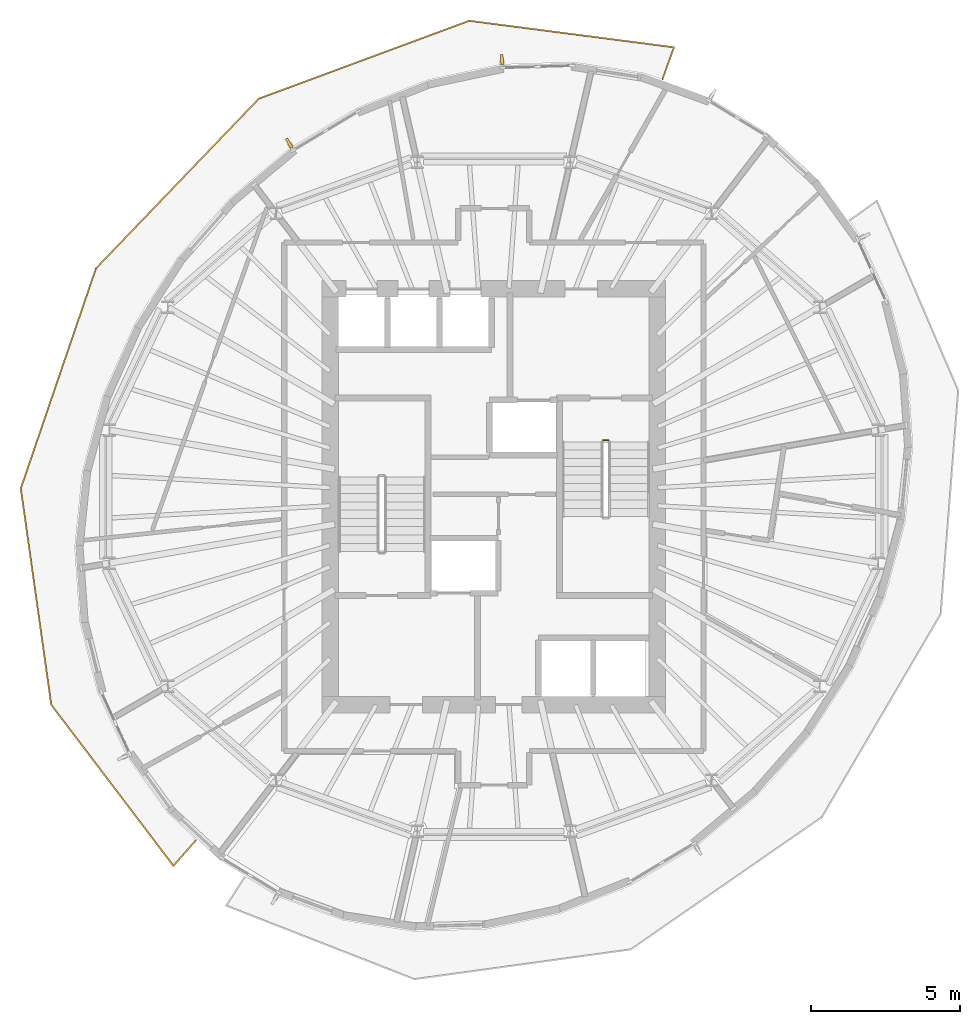
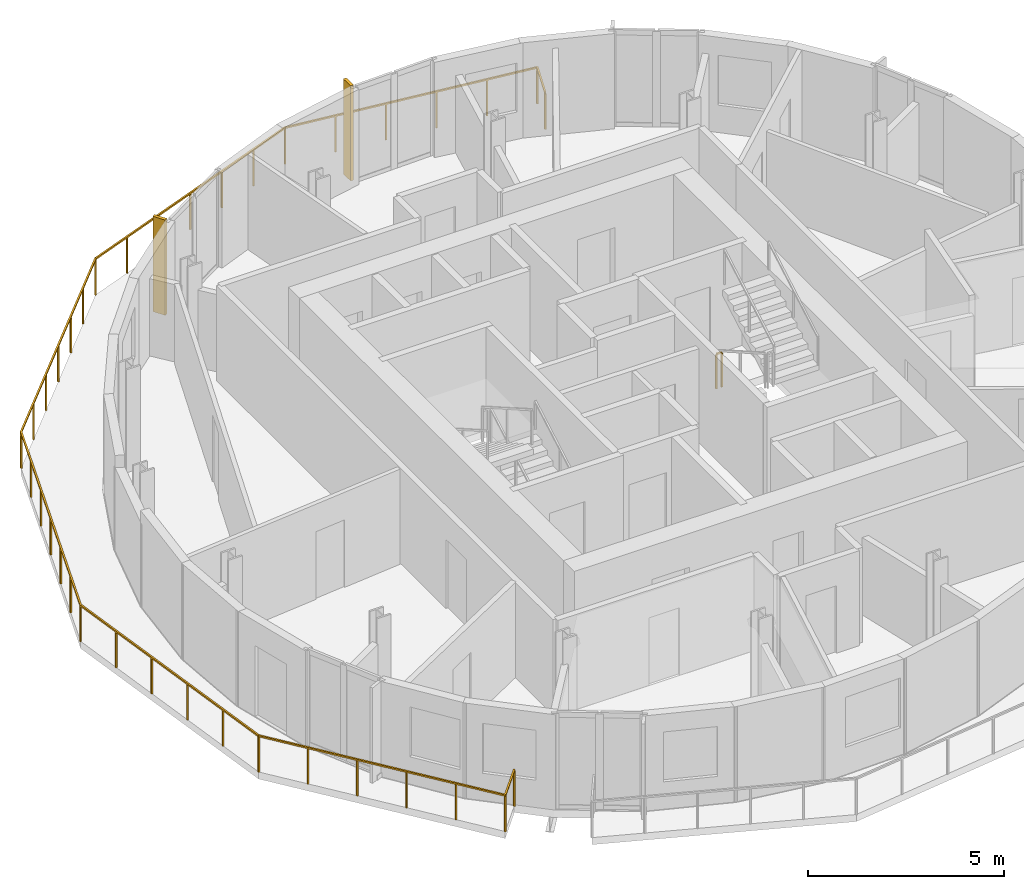
# One storey, part 10 of 11: 2 railings, 2 shading devices.
"""IFC4 building model written with IfcOpenShell, lengths in metres."""

import ifcopenshell
import ifcopenshell.guid

model = None  # the IFC model being written
_history = None  # IfcOwnerHistory: only IFC2X3 demands one
_inside = {}  # id of a spatial element -> (the spatial element, [elements in it])
_under = {}  # id of a project, library or spatial element -> (it, [spatial elements below it])
_declared = {}  # id of a project -> (the project, [libraries it declares])
_typed = {}  # id of a type object -> (the type object, [elements of that type])
_made_of = {}  # id of a material, layer set ... -> (it, [elements and type objects made of it])


def new_model(schema):
    """Start an empty IFC model of exactly this schema.

    Asked for "IFC4X3", IfcOpenShell would pick the latest addendum, in which some entities
    have other attributes; the version numbers below select the first issue.
    IFC2X3 requires an IfcOwnerHistory on every rooted entity: one is made here for all.
    """
    global model, _history
    if schema == "IFC4X3":
        model = ifcopenshell.file(schema_version=(4, 3, 0, 0))
    else:
        model = ifcopenshell.file(schema=schema)
    _inside.clear()
    _under.clear()
    _declared.clear()
    _typed.clear()
    _made_of.clear()
    _history = None
    if model.schema == "IFC2X3":
        org = make("IfcOrganization", Name="unknown")
        user = make(
            "IfcPersonAndOrganization",
            ThePerson=make("IfcPerson", FamilyName="unknown"),
            TheOrganization=org,
        )
        app = make(
            "IfcApplication",
            ApplicationDeveloper=org,
            Version="unknown",
            ApplicationFullName="unknown",
            ApplicationIdentifier="unknown",
        )
        _history = make(
            "IfcOwnerHistory",
            OwningUser=user,
            OwningApplication=app,
            ChangeAction="ADDED",
            CreationDate=0,
        )
    return model


def make(cls, **values):
    """One entity of the class cls with the attributes given. An attribute that is None is left unset."""
    return model.create_entity(
        cls, **{name: value for name, value in values.items() if value is not None}
    )


def rooted(cls, **values):
    """An entity with a GlobalId (a new one), such as an element, a storey or a relation."""
    return make(cls, GlobalId=ifcopenshell.guid.new(), OwnerHistory=_history, **values)


def si_unit(unit_type, name, prefix=None):
    """IfcSIUnit, for example si_unit("LENGTHUNIT", "METRE", prefix="MILLI")."""
    return make("IfcSIUnit", UnitType=unit_type, Prefix=prefix, Name=name)


def assignment(units):
    """IfcUnitAssignment: the units of a project."""
    return None if units is None else make("IfcUnitAssignment", Units=units)


def point(xyz):
    """IfcCartesianPoint."""
    return None if xyz is None else make("IfcCartesianPoint", Coordinates=xyz)


def direction(xyz):
    """IfcDirection."""
    return None if xyz is None else make("IfcDirection", DirectionRatios=xyz)


def frame(location, z_axis=None, x_axis=None):
    """IfcAxis2Placement3D, a coordinate frame: its origin and axes. An axis left out is left unset."""
    return make(
        "IfcAxis2Placement3D",
        Location=point(location),
        Axis=direction(z_axis),
        RefDirection=direction(x_axis),
    )


def frame_2d(location, x_axis=None):
    """IfcAxis2Placement2D, a coordinate frame in the plane: its origin and x axis."""
    return make(
        "IfcAxis2Placement2D", Location=point(location), RefDirection=direction(x_axis)
    )


def origin():
    """The frame at (0, 0, 0) with its axes left unset."""
    return frame((0.0, 0.0, 0.0))


def origin_2d():
    """The frame at (0, 0) in the plane with its x axis left unset."""
    return frame_2d((0.0, 0.0))


def place(relative_to, where):
    """IfcLocalPlacement: puts the frame where relative to a parent placement (None: the world)."""
    return make(
        "IfcLocalPlacement", PlacementRelTo=relative_to, RelativePlacement=where
    )


def context(
    kind, dimensions, precision=None, world=None, true_north=None, identifier=None
):
    """IfcGeometricRepresentationContext, for example the 3D "Model" context."""
    return make(
        "IfcGeometricRepresentationContext",
        ContextIdentifier=identifier,
        ContextType=kind,
        CoordinateSpaceDimension=dimensions,
        Precision=precision,
        WorldCoordinateSystem=world,
        TrueNorth=true_north,
    )


def subcontext(parent, identifier, kind, view, scale=None):
    """IfcGeometricRepresentationSubContext, for example "Body" below "Model"."""
    return make(
        "IfcGeometricRepresentationSubContext",
        ContextIdentifier=identifier,
        ContextType=kind,
        ParentContext=parent,
        TargetScale=scale,
        TargetView=view,
    )


def project(units=None, contexts=None):
    """IfcProject with its units and contexts."""
    return rooted(
        "IfcProject",
        Name="project",
        RepresentationContexts=contexts,
        UnitsInContext=assignment(units),
    )


def spatial(cls, under=None, at=None, **own):
    """A site, building, storey or space (cls), placed at a placement, below another one or the project."""
    s = rooted(cls, ObjectPlacement=at, **own)
    if under is not None:
        _under.setdefault(under.id(), (under, []))[1].append(s)
    return s


def profile(cls, at=None, kind="AREA", **sizes):
    """A parametric profile (cls). Its sizes go by their IFC names, for example OverallWidth=200.0."""
    return make(cls, ProfileType=kind, Position=at, **sizes)


def rectangle(**sizes):
    """IfcRectangleProfileDef."""
    return profile("IfcRectangleProfileDef", **sizes)


def extrude(swept, where, along, depth):
    """IfcExtrudedAreaSolid: the profile swept, set in the frame where, extruded along a direction by depth."""
    return make(
        "IfcExtrudedAreaSolid",
        SweptArea=swept,
        Position=where,
        ExtrudedDirection=direction(along),
        Depth=depth,
    )


def shape(context_of_items, identifier, shape_type, items):
    """IfcShapeRepresentation: the items that make up one representation, for example the "Body"."""
    return make(
        "IfcShapeRepresentation",
        ContextOfItems=context_of_items,
        RepresentationIdentifier=identifier,
        RepresentationType=shape_type,
        Items=items,
    )


def material(Name=None, Category=None):
    """IfcMaterial."""
    return make("IfcMaterial", Name=Name, Category=Category)


def layer(
    of_material, thickness, ventilated=None, Name=None, Category=None, Priority=None
):
    """IfcMaterialLayer: one layer of a wall or slab, of a material (None: an air gap)."""
    return make(
        "IfcMaterialLayer",
        Material=of_material,
        LayerThickness=thickness,
        IsVentilated=ventilated,
        Name=Name,
        Category=Category,
        Priority=Priority,
    )


def layer_set(layers, Name=None):
    """IfcMaterialLayerSet."""
    return make("IfcMaterialLayerSet", MaterialLayers=layers, LayerSetName=Name)


def made_of(thing, what):
    """Note that an element or type object is made of a material, layer set ...; save() writes the relation."""
    if what is not None:
        _made_of.setdefault(what.id(), (what, []))[1].append(thing)
    return thing


def type_object(cls, material=None, **own):
    """A type object (cls), such as IfcWallType, which elements share."""
    return made_of(rooted(cls, **own), material)


def element(
    cls,
    number,
    at=None,
    inside=None,
    cuts=None,
    type_object=None,
    material=None,
    context=None,
    identifier="Body",
    shape_type=None,
    held_by="IfcProductDefinitionShape",
    body=None,
    shapes=None,
    **own,
):
    """One element of the class cls, such as IfcWall. Its Tag is "e" and its number.

    at: its placement. inside: the storey or other place that contains it. cuts: it is an
    opening in that element (IfcRelVoidsElement). A single representation is given by context,
    identifier, shape_type and body (its items); several are given by shapes. held_by: the class
    of the entity that holds the representations. save() writes the other relations.
    """
    e = rooted(cls, Tag="e%d" % number, ObjectPlacement=at, **own)
    if body is not None:
        shapes = [shape(context, identifier, shape_type, body)]
    if shapes is not None:
        e.Representation = make(held_by, Representations=shapes)
    if inside is not None:
        _inside.setdefault(inside.id(), (inside, []))[1].append(e)
    if cuts is not None:
        rooted(
            "IfcRelVoidsElement", RelatingBuildingElement=cuts, RelatedOpeningElement=e
        )
    if type_object is not None:
        _typed.setdefault(type_object.id(), (type_object, []))[1].append(e)
    return made_of(e, material)


def aggregate(whole, parts):
    """IfcRelAggregates: a whole, such as a stair, and the parts it consists of."""
    return rooted("IfcRelAggregates", RelatingObject=whole, RelatedObjects=parts)


def save(model, path):
    """Write the relations noted so far, then the file.

    IfcRelAggregates (storeys below a building ...), IfcRelContainedInSpatialStructure (elements
    in a storey), IfcRelDefinesByType, IfcRelAssociatesMaterial and IfcRelDeclares: one each for
    every whole, place, type object, material and project.
    """
    for whole, parts in _under.values():
        aggregate(whole, parts)
    for where, things in _inside.values():
        rooted(
            "IfcRelContainedInSpatialStructure",
            RelatedElements=things,
            RelatingStructure=where,
        )
    for kind, things in _typed.values():
        rooted("IfcRelDefinesByType", RelatedObjects=things, RelatingType=kind)
    for what, things in _made_of.values():
        rooted("IfcRelAssociatesMaterial", RelatedObjects=things, RelatingMaterial=what)
    for by, libraries in _declared.values():
        rooted("IfcRelDeclares", RelatingContext=by, RelatedDefinitions=libraries)
    model.write(path)


model = new_model("IFC4")

# Units and contexts
model_context = context("Model", 3, precision=1e-05, world=origin(), true_north=direction((0.0, 1.0)))
body_context = subcontext(model_context, "Body", "Model", "MODEL_VIEW")
ifc_project = project(units=[si_unit("LENGTHUNIT", "METRE"), si_unit("AREAUNIT", "SQUARE_METRE"), si_unit("VOLUMEUNIT", "CUBIC_METRE"), si_unit("PLANEANGLEUNIT", "RADIAN"), si_unit("MASSUNIT", "GRAM", prefix="KILO")], contexts=[model_context])

# Site, building, storey
site_placement = place(None, origin())
site = spatial("IfcSite", under=ifc_project, at=site_placement, CompositionType="ELEMENT")
building_placement = place(site_placement, origin())
building = spatial("IfcBuilding", under=site, at=building_placement, Name="Veldorim Arch Residences", CompositionType="ELEMENT")
storey_placement = place(building_placement, frame((0.0, 0.0, 217.43994140625)))
storey = spatial("IfcBuildingStorey", under=building, at=storey_placement, Name="L65", CompositionType="ELEMENT", Elevation=217.43994140625)

# Railings
ifc_material_1 = material(Name="Aluminium", Category="aluminium")
railing_type_1 = type_object("IfcRailingType", Name="Balcony & Terrace Laminated Glass Balustrade 1150", PredefinedType="BALUSTRADE", material=ifc_material_1)
railing_1_placement = place(storey_placement, frame((37.680419921875, 38.05078125, 0.0)))
element("IfcRailing", 1, at=railing_1_placement, inside=storey, type_object=railing_type_1, Name="L65 crescent balcony safety balustrade A", PredefinedType="BALUSTRADE", context=body_context, shape_type="SweptSolid", body=[
    extrude(rectangle(XDim=0.048095703125, YDim=0.048095703125, at=origin_2d()), frame((0.0, 0.0, 1.1259765625), z_axis=(0.340140076504, 0.940374780795, 0.0), x_axis=(-0.940374780795, 0.340140076504, 0.0)), (0.0, 0.0, 1.0), 1.14990234375),
    extrude(rectangle(XDim=0.048095703125, YDim=0.048095703125, at=origin_2d()), frame((0.39111328125, 1.081298828125, 1.1259765625), z_axis=(-0.991707311523, 0.128516957138, 0.0), x_axis=(-0.128516957138, -0.991707311523, 0.0)), (0.0, 0.0, 1.0), 6.95654296875),
    extrude(rectangle(XDim=0.048095703125, YDim=0.048095703125, at=origin_2d()), frame((-6.5078125, 1.975341796875, 1.1259765625), z_axis=(-0.937771367303, -0.347253311959, 0.0), x_axis=(0.347253311959, -0.937771367303, 0.0)), (0.0, 0.0, 1.0), 7.55517578125),
    extrude(rectangle(XDim=0.048095703125, YDim=0.048095703125, at=origin_2d()), frame((-13.5927734375, -0.648193359375, 1.1259765625), z_axis=(-0.692515784525, -0.721402722606, 0.0), x_axis=(0.721402722606, -0.692515784525, 0.0)), (0.0, 0.0, 1.0), 7.919189453125),
    extrude(rectangle(XDim=0.048095703125, YDim=0.048095703125, at=origin_2d()), frame((-19.076904296875, -6.361083984375, 1.1259765625), z_axis=(-0.323186753285, -0.946335206204, 0.0), x_axis=(0.946335206204, -0.323186753285, 0.0)), (0.0, 0.0, 1.0), 7.831298828125),
    extrude(rectangle(XDim=0.048095703125, YDim=0.048095703125, at=origin_2d()), frame((-21.60791015625, -13.772216796875, 1.1259765625), z_axis=(0.139441940502, -0.990230248593, 0.0), x_axis=(0.990230248593, 0.139441940502, 0.0)), (0.0, 0.0, 1.0), 7.35693359375),
    extrude(rectangle(XDim=0.048095703125, YDim=0.048095703125, at=origin_2d()), frame((-20.58203125, -21.057373046875, 1.1259765625), z_axis=(0.604328405485, -0.796735325138, 0.0), x_axis=(0.796735325138, 0.604328405485, 0.0)), (0.0, 0.0, 1.0), 6.808837890625),
    extrude(rectangle(XDim=0.048095703125, YDim=0.048095703125, at=origin_2d()), frame((-16.46728515625, -26.482177734375, 1.1259765625), z_axis=(0.662583043575, 0.7489884581, 0.0), x_axis=(-0.7489884581, 0.662583043575, 0.0)), (0.0, 0.0, 1.0), 1.14990234375),
    extrude(rectangle(XDim=0.0419921875, YDim=0.0419921875, at=origin_2d()), origin(), (0.0, 0.0, 1.0), 1.101806640625),
    extrude(rectangle(XDim=0.0419921875, YDim=0.0419921875, at=origin_2d()), frame((0.39111328125, 1.081298828125, 0.0)), (0.0, 0.0, 1.0), 1.101806640625),
    extrude(rectangle(XDim=0.0419921875, YDim=0.0419921875, at=origin_2d()), frame((-0.98876953125, 1.260009765625, 0.0)), (0.0, 0.0, 1.0), 1.101806640625),
    extrude(rectangle(XDim=0.0419921875, YDim=0.0419921875, at=origin_2d()), frame((-2.368408203125, 1.43896484375, 0.0)), (0.0, 0.0, 1.0), 1.101806640625),
    extrude(rectangle(XDim=0.0419921875, YDim=0.0419921875, at=origin_2d()), frame((-3.748291015625, 1.61767578125, 0.0)), (0.0, 0.0, 1.0), 1.101806640625),
    extrude(rectangle(XDim=0.0419921875, YDim=0.0419921875, at=origin_2d()), frame((-5.1279296875, 1.796630859375, 0.0)), (0.0, 0.0, 1.0), 1.101806640625),
    extrude(rectangle(XDim=0.0419921875, YDim=0.0419921875, at=origin_2d()), frame((-6.5078125, 1.975341796875, 0.0)), (0.0, 0.0, 1.0), 1.101806640625),
    extrude(rectangle(XDim=0.0419921875, YDim=0.0419921875, at=origin_2d()), frame((-7.688720703125, 1.5380859375, 0.0)), (0.0, 0.0, 1.0), 1.101806640625),
    extrude(rectangle(XDim=0.0419921875, YDim=0.0419921875, at=origin_2d()), frame((-8.869384765625, 1.100830078125, 0.0)), (0.0, 0.0, 1.0), 1.101806640625),
    extrude(rectangle(XDim=0.0419921875, YDim=0.0419921875, at=origin_2d()), frame((-10.05029296875, 0.66357421875, 0.0)), (0.0, 0.0, 1.0), 1.101806640625),
    extrude(rectangle(XDim=0.0419921875, YDim=0.0419921875, at=origin_2d()), frame((-11.231201171875, 0.226318359375, 0.0)), (0.0, 0.0, 1.0), 1.101806640625),
    extrude(rectangle(XDim=0.0419921875, YDim=0.0419921875, at=origin_2d()), frame((-12.411865234375, -0.2109375, 0.0)), (0.0, 0.0, 1.0), 1.101806640625),
    extrude(rectangle(XDim=0.0419921875, YDim=0.0419921875, at=origin_2d()), frame((-13.5927734375, -0.648193359375, 0.0)), (0.0, 0.0, 1.0), 1.101806640625),
    extrude(rectangle(XDim=0.0419921875, YDim=0.0419921875, at=origin_2d()), frame((-14.5068359375, -1.600341796875, 0.0)), (0.0, 0.0, 1.0), 1.101806640625),
    extrude(rectangle(XDim=0.0419921875, YDim=0.0419921875, at=origin_2d()), frame((-15.4208984375, -2.552490234375, 0.0)), (0.0, 0.0, 1.0), 1.101806640625),
    extrude(rectangle(XDim=0.0419921875, YDim=0.0419921875, at=origin_2d()), frame((-16.3349609375, -3.504638671875, 0.0)), (0.0, 0.0, 1.0), 1.101806640625),
    extrude(rectangle(XDim=0.0419921875, YDim=0.0419921875, at=origin_2d()), frame((-17.248779296875, -4.456787109375, 0.0)), (0.0, 0.0, 1.0), 1.101806640625),
    extrude(rectangle(XDim=0.0419921875, YDim=0.0419921875, at=origin_2d()), frame((-18.162841796875, -5.408935546875, 0.0)), (0.0, 0.0, 1.0), 1.101806640625),
    extrude(rectangle(XDim=0.0419921875, YDim=0.0419921875, at=origin_2d()), frame((-19.076904296875, -6.361083984375, 0.0)), (0.0, 0.0, 1.0), 1.101806640625),
    extrude(rectangle(XDim=0.0419921875, YDim=0.0419921875, at=origin_2d()), frame((-19.498779296875, -7.59619140625, 0.0)), (0.0, 0.0, 1.0), 1.101806640625),
    extrude(rectangle(XDim=0.0419921875, YDim=0.0419921875, at=origin_2d()), frame((-19.920654296875, -8.83154296875, 0.0)), (0.0, 0.0, 1.0), 1.101806640625),
    extrude(rectangle(XDim=0.0419921875, YDim=0.0419921875, at=origin_2d()), frame((-20.34228515625, -10.066650390625, 0.0)), (0.0, 0.0, 1.0), 1.101806640625),
    extrude(rectangle(XDim=0.0419921875, YDim=0.0419921875, at=origin_2d()), frame((-20.76416015625, -11.3017578125, 0.0)), (0.0, 0.0, 1.0), 1.101806640625),
    extrude(rectangle(XDim=0.0419921875, YDim=0.0419921875, at=origin_2d()), frame((-21.18603515625, -12.537109375, 0.0)), (0.0, 0.0, 1.0), 1.101806640625),
    extrude(rectangle(XDim=0.0419921875, YDim=0.0419921875, at=origin_2d()), frame((-21.60791015625, -13.772216796875, 0.0)), (0.0, 0.0, 1.0), 1.101806640625),
    extrude(rectangle(XDim=0.0419921875, YDim=0.0419921875, at=origin_2d()), frame((-21.40283203125, -15.229248046875, 0.0)), (0.0, 0.0, 1.0), 1.101806640625),
    extrude(rectangle(XDim=0.0419921875, YDim=0.0419921875, at=origin_2d()), frame((-21.197509765625, -16.686279296875, 0.0)), (0.0, 0.0, 1.0), 1.101806640625),
    extrude(rectangle(XDim=0.0419921875, YDim=0.0419921875, at=origin_2d()), frame((-20.992431640625, -18.143310546875, 0.0)), (0.0, 0.0, 1.0), 1.101806640625),
    extrude(rectangle(XDim=0.0419921875, YDim=0.0419921875, at=origin_2d()), frame((-20.787109375, -19.600341796875, 0.0)), (0.0, 0.0, 1.0), 1.101806640625),
    extrude(rectangle(XDim=0.0419921875, YDim=0.0419921875, at=origin_2d()), frame((-20.58203125, -21.057373046875, 0.0)), (0.0, 0.0, 1.0), 1.101806640625),
    extrude(rectangle(XDim=0.0419921875, YDim=0.0419921875, at=origin_2d()), frame((-19.759033203125, -22.142333984375, 0.0)), (0.0, 0.0, 1.0), 1.101806640625),
    extrude(rectangle(XDim=0.0419921875, YDim=0.0419921875, at=origin_2d()), frame((-18.93603515625, -23.227294921875, 0.0)), (0.0, 0.0, 1.0), 1.101806640625),
    extrude(rectangle(XDim=0.0419921875, YDim=0.0419921875, at=origin_2d()), frame((-18.11328125, -24.312255859375, 0.0)), (0.0, 0.0, 1.0), 1.101806640625),
    extrude(rectangle(XDim=0.0419921875, YDim=0.0419921875, at=origin_2d()), frame((-17.290283203125, -25.397216796875, 0.0)), (0.0, 0.0, 1.0), 1.101806640625),
    extrude(rectangle(XDim=0.0419921875, YDim=0.0419921875, at=origin_2d()), frame((-16.46728515625, -26.482177734375, 0.0)), (0.0, 0.0, 1.0), 1.101806640625),
    extrude(rectangle(XDim=0.0419921875, YDim=0.0419921875, at=origin_2d()), frame((-15.705322265625, -25.620849609375, 0.0)), (0.0, 0.0, 1.0), 1.101806640625),
])
ifc_material_2 = material(Name="Steel S355", Category="steel")
railing_type_2 = type_object("IfcRailingType", Name="Galvanised Steel Stair Safety Guardrail 1100", PredefinedType="GUARDRAIL", material=ifc_material_2)
railing_2_placement = place(storey_placement, frame((35.68994140625, 25.89990234375, 0.0)))
element("IfcRailing", 2, at=railing_2_placement, inside=storey, type_object=railing_type_2, Name="L65 ST-2 stair guard 4", PredefinedType="GUARDRAIL", context=body_context, shape_type="SweptSolid", body=[
    extrude(rectangle(XDim=0.048095703125, YDim=0.048095703125, at=origin_2d()), frame((0.0, 0.0, 1.076171875), z_axis=(1.0, 0.0, 0.0), x_axis=(0.0, 1.0, 0.0)), (0.0, 0.0, 1.0), 0.16015625),
    extrude(rectangle(XDim=0.0419921875, YDim=0.0419921875, at=origin_2d()), origin(), (0.0, 0.0, 1.0), 1.052001953125),
    extrude(rectangle(XDim=0.0419921875, YDim=0.0419921875, at=origin_2d()), frame((0.16015625, 0.0, 0.0)), (0.0, 0.0, 1.0), 1.052001953125),
])

# Shading devices
ifc_material_3 = material(Name="Terracotta Ceramic", Category="masonry")
ifc_layer = layer(ifc_material_3, 0.090087890625, Name="Vertical Extruded Terracotta Baguette Sun-Shading Fin")
ifc_layer_set = layer_set([ifc_layer], Name="Terracotta Ceramic")
shading_device_type = type_object("IfcShadingDeviceType", Name="Vertical Extruded Terracotta Baguette Sun-Shading Fin", PredefinedType="USERDEFINED", material=ifc_layer_set)
for number, where, z_axis, x_axis, name in (
    (3, (32.277099609375, 38.70849609375, 0.0), (0.0, 0.0, 1.0), (0.99952286999, 0.030887414385, 0.0), "L65 vertical terracotta sun-shading fin 04"),
    (4, (25.112060546875, 35.90283203125, 0.0), (0.0, 0.0, 1.0), (0.858512728225, 0.512792253721, 0.0), "L65 vertical terracotta sun-shading fin 07"),
):
    element("IfcShadingDevice", number, at=place(storey_placement, frame(where, z_axis=z_axis, x_axis=x_axis)), inside=storey, type_object=shading_device_type, Name=name, ObjectType="FIN", PredefinedType="USERDEFINED", context=body_context, shape_type="SweptSolid", body=[
        extrude(rectangle(XDim=0.090087890625, YDim=0.360107421875, at=origin_2d()), origin(), (0.0, 0.0, 1.0), 2.9599609375),
    ])

save(model, "model.ifc")
